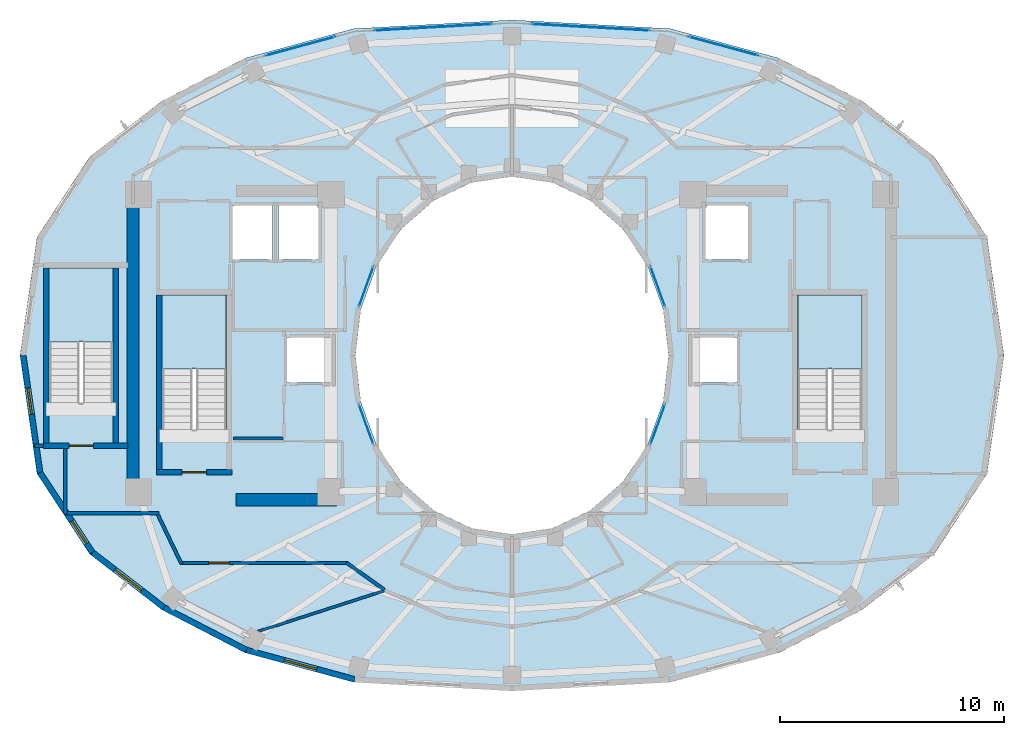
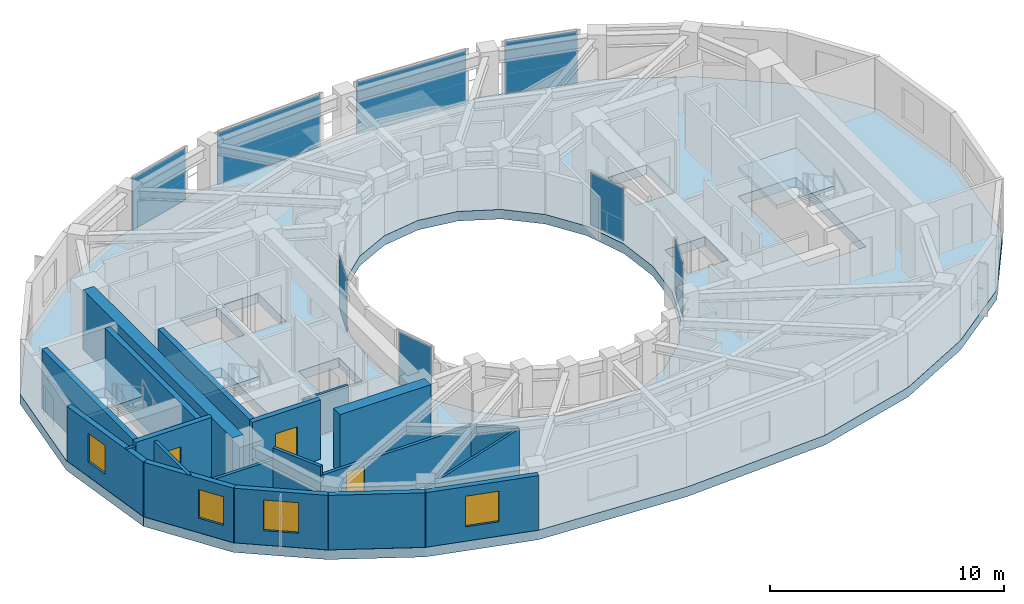
# One storey, part 12 of 19: 20 walls, 8 plates, 4 slabs, 4 windows, 3 doors, 7 openings, 11 elements without a shape of their own.
"""IFC4 building model written with IfcOpenShell, lengths in metres."""

from ifc_helpers import new_model, si_unit, direction, frame, frame_2d, origin, origin_2d, place, context, subcontext, project, spatial, polyline, rectangle, outline, extrude, material, layer, layer_set, type_object, element, fill, aggregate, save


model = new_model("IFC4")

# Units and contexts
model_context = context("Model", 3, precision=1e-05, world=origin(), true_north=direction((0.0, 1.0)))
body_context = subcontext(model_context, "Body", "Model", "MODEL_VIEW")
ifc_project = project(units=[si_unit("LENGTHUNIT", "METRE"), si_unit("AREAUNIT", "SQUARE_METRE"), si_unit("VOLUMEUNIT", "CUBIC_METRE"), si_unit("PLANEANGLEUNIT", "RADIAN"), si_unit("MASSUNIT", "GRAM", prefix="KILO")], contexts=[model_context])

# Site, building, storey
site_placement = place(None, origin())
site = spatial("IfcSite", under=ifc_project, at=site_placement, CompositionType="ELEMENT")
building_placement = place(site_placement, origin())
building = spatial("IfcBuilding", under=site, at=building_placement, Name="Solvane Sanctuary Tower", CompositionType="ELEMENT")
storey_placement = place(building_placement, frame((0.0, 0.0, 201.60009765625)))
storey = spatial("IfcBuildingStorey", under=building, at=storey_placement, Name="L61", CompositionType="ELEMENT", Elevation=201.60009765625)

# Curtain wall, plate
ifc_material_1 = material(Name="Anodised Aluminium 6063-T6", Category="aluminium")
ifc_layer_1 = layer(ifc_material_1, 0.18994140625, Name="Anodised Aluminium 6063-T6")
ifc_layer_set_1 = layer_set([ifc_layer_1], Name="Anodised Aluminium 6063-T6")
curtain_wall_type_1 = type_object("IfcCurtainWallType", Name="Curtain Wall CW-OPER", PredefinedType="NOTDEFINED", material=ifc_layer_set_1)
curtain_wall_1_placement = place(storey_placement, origin())
curtain_wall_1 = element("IfcCurtainWall", 1, at=curtain_wall_1_placement, inside=storey, type_object=curtain_wall_type_1, Name="L61 CW-OPER Facade Run 04", PredefinedType="NOTDEFINED")
ifc_material_2 = material(Name="Dark Ceramic-Fritted Low-E Glass", Category="glass")
ifc_layer_2 = layer(ifc_material_2, 0.0419921875, Name="Dark Ceramic-Fritted Low-E Glass")
ifc_layer_set_2 = layer_set([ifc_layer_2], Name="Dark Ceramic-Fritted Low-E Glass")
plate_type_1 = type_object("IfcPlateType", Name="Plate PN-OPER-VENT", PredefinedType="CURTAIN_PANEL", material=ifc_layer_set_2)
plate_1_placement = place(storey_placement, frame((41.45654296875, 36.830810546875, 0.06494140625), z_axis=(0.0, 0.0, 1.0), x_axis=(-0.965212137728, 0.261468027073, 0.0)))
plate_1 = element("IfcPlate", 2, at=plate_1_placement, type_object=plate_type_1, Name="CW-OPER panel 1.1", PredefinedType="CURTAIN_PANEL", context=body_context, shape_type="SweptSolid", body=[
    extrude(rectangle(XDim=3.2109375, YDim=0.0419921875, at=origin_2d()), origin(), (0.0, 0.0, 1.0), 2.7099609375),
])
aggregate(curtain_wall_1, [plate_1])

curtain_wall_2_placement = place(storey_placement, origin())
curtain_wall_2 = element("IfcCurtainWall", 3, at=curtain_wall_2_placement, inside=storey, type_object=curtain_wall_type_1, Name="L61 CW-OPER Facade Run 05", PredefinedType="NOTDEFINED")
plate_2_placement = place(storey_placement, frame((35.521484375, 37.678466796875, 0.06494140625), z_axis=(0.0, 0.0, 1.0), x_axis=(-0.99849089247, 0.054917553251, 0.0)))
plate_2 = element("IfcPlate", 4, at=plate_2_placement, type_object=plate_type_1, Name="CW-OPER panel 1.1", PredefinedType="CURTAIN_PANEL", context=body_context, shape_type="SweptSolid", body=[
    extrude(rectangle(XDim=5.263671875, YDim=0.0419921875, at=origin_2d()), origin(), (0.0, 0.0, 1.0), 2.7099609375),
])
aggregate(curtain_wall_2, [plate_2])

curtain_wall_3_placement = place(storey_placement, origin())
curtain_wall_3 = element("IfcCurtainWall", 5, at=curtain_wall_3_placement, inside=storey, type_object=curtain_wall_type_1, Name="L61 CW-OPER Facade Run 06", PredefinedType="NOTDEFINED")
plate_3_placement = place(storey_placement, frame((28.478515625, 37.678466796875, 0.06494140625), z_axis=(0.0, 0.0, 1.0), x_axis=(-0.99849089247, -0.054917553251, 0.0)))
plate_3 = element("IfcPlate", 6, at=plate_3_placement, type_object=plate_type_1, Name="CW-OPER panel 1.1", PredefinedType="CURTAIN_PANEL", context=body_context, shape_type="SweptSolid", body=[
    extrude(rectangle(XDim=5.263671875, YDim=0.0419921875, at=origin_2d()), origin(), (0.0, 0.0, 1.0), 2.7099609375),
])
aggregate(curtain_wall_3, [plate_3])

curtain_wall_4_placement = place(storey_placement, origin())
curtain_wall_4 = element("IfcCurtainWall", 7, at=curtain_wall_4_placement, inside=storey, type_object=curtain_wall_type_1, Name="L61 CW-OPER Facade Run 07", PredefinedType="NOTDEFINED")
plate_4_placement = place(storey_placement, frame((22.54345703125, 36.830810546875, 0.06494140625), z_axis=(0.0, 0.0, 1.0), x_axis=(-0.965212137728, -0.261468027073, 0.0)))
plate_4 = element("IfcPlate", 8, at=plate_4_placement, type_object=plate_type_1, Name="CW-OPER panel 1.1", PredefinedType="CURTAIN_PANEL", context=body_context, shape_type="SweptSolid", body=[
    extrude(rectangle(XDim=3.2109375, YDim=0.0419921875, at=origin_2d()), origin(), (0.0, 0.0, 1.0), 2.7099609375),
])
aggregate(curtain_wall_4, [plate_4])

ifc_layer_3 = layer(ifc_material_1, 0.199951171875, Name="Anodised Aluminium 6063-T6")
ifc_layer_set_3 = layer_set([ifc_layer_3], Name="Anodised Aluminium 6063-T6")
curtain_wall_type_2 = type_object("IfcCurtainWallType", Name="Curtain Wall CW-WELL", PredefinedType="NOTDEFINED", material=ifc_layer_set_3)
curtain_wall_5_placement = place(storey_placement, origin())
curtain_wall_5 = element("IfcCurtainWall", 9, at=curtain_wall_5_placement, inside=storey, type_object=curtain_wall_type_2, Name="L61 Light-Well Glazed Curtain Wall 01", PredefinedType="NOTDEFINED")
ifc_material_3 = material(Name="Clear Laminated Light-Well Glass", Category="glass")
ifc_layer_4 = layer(ifc_material_3, 0.02392578125, Name="Clear Laminated Light-Well Glass")
ifc_layer_set_4 = layer_set([ifc_layer_4], Name="Clear Laminated Light-Well Glass")
plate_type_2 = type_object("IfcPlateType", Name="Plate PN-WELL-GLZ", PredefinedType="CURTAIN_PANEL", material=ifc_layer_set_4)
plate_5_placement = place(storey_placement, frame((38.521728515625, 26.080810546875, 0.06494140625), z_axis=(0.0, 0.0, 1.0), x_axis=(-0.341358483781, 0.939933181429, 0.0)))
plate_5 = element("IfcPlate", 10, at=plate_5_placement, type_object=plate_type_2, Name="CW-WELL panel 1.1", PredefinedType="CURTAIN_PANEL", context=body_context, shape_type="SweptSolid", body=[
    extrude(rectangle(XDim=1.853515625, YDim=0.02392578125, at=origin_2d()), origin(), (0.0, 0.0, 1.0), 2.75),
])
aggregate(curtain_wall_5, [plate_5])

curtain_wall_6_placement = place(storey_placement, origin())
curtain_wall_6 = element("IfcCurtainWall", 11, at=curtain_wall_6_placement, inside=storey, type_object=curtain_wall_type_2, Name="L61 Light-Well Glazed Curtain Wall 10", PredefinedType="NOTDEFINED")
plate_6_placement = place(storey_placement, frame((25.478271484375, 26.080810546875, 0.06494140625), z_axis=(0.0, 0.0, 1.0), x_axis=(-0.341358483781, -0.939933181429, 0.0)))
plate_6 = element("IfcPlate", 12, at=plate_6_placement, type_object=plate_type_2, Name="CW-WELL panel 1.1", PredefinedType="CURTAIN_PANEL", context=body_context, shape_type="SweptSolid", body=[
    extrude(rectangle(XDim=1.853515625, YDim=0.02392578125, at=origin_2d()), origin(), (0.0, 0.0, 1.0), 2.75),
])
aggregate(curtain_wall_6, [plate_6])

curtain_wall_7_placement = place(storey_placement, origin())
curtain_wall_7 = element("IfcCurtainWall", 13, at=curtain_wall_7_placement, inside=storey, type_object=curtain_wall_type_2, Name="L61 Light-Well Glazed Curtain Wall 13", PredefinedType="NOTDEFINED")
plate_7_placement = place(storey_placement, frame((25.478271484375, 19.919189453125, 0.06494140625), z_axis=(0.0, 0.0, 1.0), x_axis=(0.341358483781, -0.939933181429, 0.0)))
plate_7 = element("IfcPlate", 14, at=plate_7_placement, type_object=plate_type_2, Name="CW-WELL panel 1.1", PredefinedType="CURTAIN_PANEL", context=body_context, shape_type="SweptSolid", body=[
    extrude(rectangle(XDim=1.853515625, YDim=0.02392578125, at=origin_2d()), origin(), (0.0, 0.0, 1.0), 2.75),
])
aggregate(curtain_wall_7, [plate_7])

curtain_wall_8_placement = place(storey_placement, origin())
curtain_wall_8 = element("IfcCurtainWall", 15, at=curtain_wall_8_placement, inside=storey, type_object=curtain_wall_type_2, Name="L61 Light-Well Glazed Curtain Wall 22", PredefinedType="NOTDEFINED")
plate_8_placement = place(storey_placement, frame((38.521728515625, 19.919189453125, 0.06494140625), z_axis=(0.0, 0.0, 1.0), x_axis=(0.341358483781, 0.939933181429, 0.0)))
plate_8 = element("IfcPlate", 16, at=plate_8_placement, type_object=plate_type_2, Name="CW-WELL panel 1.1", PredefinedType="CURTAIN_PANEL", context=body_context, shape_type="SweptSolid", body=[
    extrude(rectangle(XDim=1.853515625, YDim=0.02392578125, at=origin_2d()), origin(), (0.0, 0.0, 1.0), 2.75),
])
aggregate(curtain_wall_8, [plate_8])

# Stair, slab
ifc_material_4 = material(Name="Concrete C45/55", Category="concrete")
stair_type = type_object("IfcStairType", Name="Stair ST-TOW", PredefinedType="HALF_TURN_STAIR", material=ifc_material_4)
stair_1_placement = place(storey_placement, origin())
stair_1 = element("IfcStair", 17, at=stair_1_placement, inside=storey, type_object=stair_type, Name="L61 Exit Stair ST-1 West Core", PredefinedType="HALF_TURN_STAIR")
ifc_layer_5 = layer(ifc_material_4, 0.199951171875, Name="Concrete C45/55")
ifc_layer_set_5 = layer_set([ifc_layer_5], Name="Concrete C45/55")
slab_type_1 = type_object("IfcSlabType", Name="Slab SL-LAND-180", PredefinedType="LANDING", material=ifc_layer_set_5)
slab_1_placement = place(storey_placement, frame((0.0, 0.0, 1.349853515625)))
slab_1 = element("IfcSlab", 18, at=slab_1_placement, type_object=slab_type_1, Name="ST-1 landing 1", PredefinedType="LANDING", context=body_context, shape_type="SweptSolid", body=[
    extrude(outline(polyline([(19.219970703125, 22.39990234375), (19.219970703125, 25.699951171875), (16.360107421875, 25.699951171875), (16.360107421875, 22.39990234375), (19.219970703125, 22.39990234375)])), origin(), (0.0, 0.0, 1.0), 0.199951171875),
])
aggregate(stair_1, [slab_1])

stair_2_placement = place(storey_placement, origin())
stair_2 = element("IfcStair", 19, at=stair_2_placement, inside=storey, type_object=stair_type, Name="L61 Exit Stair ST-2 East Core", PredefinedType="HALF_TURN_STAIR")
slab_2_placement = place(storey_placement, frame((0.0, 0.0, 1.349853515625)))
slab_2 = element("IfcSlab", 20, at=slab_2_placement, type_object=slab_type_1, Name="ST-2 landing 1", PredefinedType="LANDING", context=body_context, shape_type="SweptSolid", body=[
    extrude(outline(polyline([(47.639892578125, 22.39990234375), (47.639892578125, 25.699951171875), (44.780029296875, 25.699951171875), (44.780029296875, 22.39990234375), (47.639892578125, 22.39990234375)])), origin(), (0.0, 0.0, 1.0), 0.199951171875),
])
aggregate(stair_2, [slab_2])

stair_3_placement = place(storey_placement, origin())
stair_3 = element("IfcStair", 21, at=stair_3_placement, inside=storey, type_object=stair_type, Name="L61 Exit Stair ST-3 Pilgrim Tower Stair", PredefinedType="HALF_TURN_STAIR")
slab_3_placement = place(storey_placement, frame((0.0, 0.0, 1.349853515625)))
slab_3 = element("IfcSlab", 22, at=slab_3_placement, type_object=slab_type_1, Name="ST-3 landing 1", PredefinedType="LANDING", context=body_context, shape_type="SweptSolid", body=[
    extrude(outline(polyline([(14.159912109375, 23.60009765625), (14.159912109375, 26.89990234375), (11.300048828125, 26.89990234375), (11.300048828125, 23.60009765625), (14.159912109375, 23.60009765625)])), origin(), (0.0, 0.0, 1.0), 0.199951171875),
])
aggregate(stair_3, [slab_3])

# Slab
ifc_material_5 = material(Name="Concrete C60/75", Category="concrete")
ifc_layer_6 = layer(ifc_material_5, 0.5, Name="Concrete C60/75")
ifc_layer_set_6 = layer_set([ifc_layer_6], Name="Concrete C60/75")
slab_type_2 = type_object("IfcSlabType", Name="Slab SL-XFER-500", PredefinedType="FLOOR", material=ifc_layer_set_6)
slab_4_placement = place(storey_placement, frame((0.0, 0.0, -0.5)))
element("IfcSlab", 23, at=slab_4_placement, inside=storey, type_object=slab_type_2, Name="L61 Primary Structural Slab", PredefinedType="FLOOR", context=body_context, shape_type="SweptSolid", body=[
    extrude(outline(polyline([(54.0, 23.0), (53.239990234375, 28.283935546875), (50.881103515625, 31.885009765625), (47.6572265625, 34.369384765625), (43.946044921875, 36.29052734375), (39.088134765625, 37.609375), (32.0, 38.0), (24.911865234375, 37.609375), (20.053955078125, 36.29052734375), (16.3427734375, 34.369384765625), (13.118896484375, 31.885009765625), (10.760009765625, 28.283935546875), (10.0, 23.0), (10.760009765625, 17.716064453125), (13.118896484375, 14.114990234375), (16.3427734375, 11.630615234375), (20.053955078125, 9.70947265625), (24.911865234375, 8.390625), (32.0, 8.0), (39.088134765625, 8.390625), (43.946044921875, 9.70947265625), (47.6572265625, 11.630615234375), (50.881103515625, 14.114990234375), (53.239990234375, 17.716064453125), (54.0, 23.0)]), holes=[polyline([(38.761474609375, 20.929443359375), (38.062255859375, 19.0), (36.94970703125, 17.343017578125), (35.5, 16.07177734375), (33.811767578125, 15.272705078125), (32.0, 15.0), (30.188232421875, 15.272705078125), (28.5, 16.07177734375), (27.05029296875, 17.343017578125), (25.937744140625, 19.0), (25.238525390625, 20.929443359375), (25.0, 23.0), (25.238525390625, 25.070556640625), (25.937744140625, 27.0), (27.05029296875, 28.656982421875), (28.5, 29.92822265625), (30.188232421875, 30.727294921875), (32.0, 31.0), (33.811767578125, 30.727294921875), (35.5, 29.92822265625), (36.94970703125, 28.656982421875), (38.062255859375, 27.0), (38.761474609375, 25.070556640625), (39.0, 23.0), (38.761474609375, 20.929443359375)]), polyline([(16.360107421875, 19.699951171875), (16.360107421875, 25.699951171875), (19.219970703125, 25.699951171875), (19.219970703125, 19.699951171875), (16.360107421875, 19.699951171875)]), polyline([(44.780029296875, 19.699951171875), (44.780029296875, 25.699951171875), (47.639892578125, 25.699951171875), (47.639892578125, 19.699951171875), (44.780029296875, 19.699951171875)]), polyline([(11.300048828125, 20.89990234375), (11.300048828125, 26.89990234375), (14.159912109375, 26.89990234375), (14.159912109375, 20.89990234375), (11.300048828125, 20.89990234375)]), polyline([(21.949951171875, 23.800048828125), (23.949951171875, 23.800048828125), (23.949951171875, 21.800048828125), (21.949951171875, 21.800048828125), (21.949951171875, 23.800048828125)]), polyline([(40.050048828125, 23.800048828125), (42.050048828125, 23.800048828125), (42.050048828125, 21.800048828125), (40.050048828125, 21.800048828125), (40.050048828125, 23.800048828125)]), polyline([(19.5, 29.699951171875), (21.300048828125, 29.699951171875), (21.300048828125, 27.300048828125), (19.5, 27.300048828125), (19.5, 29.699951171875)]), polyline([(21.550048828125, 29.699951171875), (23.35009765625, 29.699951171875), (23.35009765625, 27.300048828125), (21.550048828125, 27.300048828125), (21.550048828125, 29.699951171875)]), polyline([(40.64990234375, 29.699951171875), (42.550048828125, 29.699951171875), (42.550048828125, 27.300048828125), (40.64990234375, 27.300048828125), (40.64990234375, 29.699951171875)])]), origin(), (0.0, 0.0, 1.0), 0.5),
])

# Walls
ifc_material_6 = material(Name="Concrete C50/60", Category="concrete")
ifc_layer_7 = layer(ifc_material_6, 0.550048828125, Name="Concrete C50/60")
ifc_layer_set_7 = layer_set([ifc_layer_7], Name="Concrete C50/60")
wall_type_1 = type_object("IfcWallType", Name="Wall W-CORE-550", PredefinedType="SHEAR", material=ifc_layer_set_7)
wall_1_placement = place(storey_placement, frame((15.050048828125, 17.050048828125, 0.0), z_axis=(0.0, 0.0, 1.0), x_axis=(0.0, 1.0, 0.0)))
element("IfcWall", 24, at=wall_1_placement, inside=storey, type_object=wall_type_1, Name="L61 Core Shear Wall WC-W", PredefinedType="SHEAR", context=body_context, shape_type="SweptSolid", body=[
    extrude(rectangle(XDim=12.800048828125, YDim=0.550048828125, at=frame_2d((6.39990234375, 0.0))), origin(), (0.0, 0.0, 1.0), 3.099853515625),
])
wall_2_placement = place(storey_placement, frame((19.64990234375, 16.550048828125, 0.0), z_axis=(0.0, 0.0, 1.0), x_axis=(1.0, 0.0, 0.0)))
element("IfcWall", 25, at=wall_2_placement, inside=storey, type_object=wall_type_1, Name="L61 Core Shear Wall WC-S", PredefinedType="SHEAR", context=body_context, shape_type="SweptSolid", body=[
    extrude(rectangle(XDim=4.5, YDim=0.550048828125, at=frame_2d((2.25, 0.0))), origin(), (0.0, 0.0, 1.0), 3.099853515625),
])
ifc_material_7 = material(Name="Acoustic Gypsum Partition Board")
ifc_layer_8 = layer(ifc_material_7, 0.14990234375, Name="Acoustic Gypsum Partition Board")
ifc_layer_set_8 = layer_set([ifc_layer_8], Name="Acoustic Gypsum Partition Board")
wall_type_2 = type_object("IfcWallType", Name="Wall W-CORR-150", PredefinedType="PARTITIONING", material=ifc_layer_set_8)
wall_3_placement = place(storey_placement, frame((10.639892578125, 18.969970703125, 0.0), z_axis=(0.0, 0.0, 1.0), x_axis=(1.0, 0.0, 0.0)))
element("IfcWall", 26, at=wall_3_placement, inside=storey, type_object=wall_type_2, Name="L61 SW Corner Closer 1", PredefinedType="PARTITIONING", context=body_context, shape_type="SweptSolid", body=[
    extrude(rectangle(XDim=0.400146484375, YDim=0.14990234375, at=frame_2d((0.2001953125, 0.0))), origin(), (0.0, 0.0, 1.0), 2.85498046875),
])
wall_4_placement = place(storey_placement, frame((12.02001953125, 15.909912109375, 0.0), z_axis=(0.0, 0.0, 1.0), x_axis=(0.0, 1.0, 0.0)))
element("IfcWall", 27, at=wall_4_placement, inside=storey, type_object=wall_type_2, Name="L61 SW Corner Closer 2", PredefinedType="PARTITIONING", context=body_context, shape_type="SweptSolid", body=[
    extrude(rectangle(XDim=2.93017578125, YDim=0.14990234375, at=frame_2d((1.465087890625, 0.0))), origin(), (0.0, 0.0, 1.0), 2.85498046875),
])
wall_5_placement = place(storey_placement, frame((11.97998046875, 15.949951171875, 0.0), z_axis=(0.0, 0.0, 1.0), x_axis=(1.0, 0.0, 0.0)))
element("IfcWall", 28, at=wall_5_placement, inside=storey, type_object=wall_type_2, Name="L61 SW Corner Closer 3", PredefinedType="PARTITIONING", context=body_context, shape_type="SweptSolid", body=[
    extrude(rectangle(XDim=4.239990234375, YDim=0.14990234375, at=frame_2d((2.1201171875, 0.0))), origin(), (0.0, 0.0, 1.0), 2.219970703125),
])
wall_6_placement = place(storey_placement, frame((26.290283203125, 12.527099609375, 0.0), z_axis=(0.0, 0.0, 1.0), x_axis=(-0.813780999276, 0.581171648669, 0.0)))
element("IfcWall", 29, at=wall_6_placement, inside=storey, type_object=wall_type_2, Name="L61 SW Corner Throat Wall", PredefinedType="PARTITIONING", context=body_context, shape_type="SweptSolid", body=[
    extrude(rectangle(XDim=2.082275390625, YDim=0.14990234375, at=frame_2d((1.041015625, 0.0))), origin(), (0.0, 0.0, 1.0), 2.3759765625),
])

# Wall, opening, door
wall_7_placement = place(storey_placement, frame((17.14990234375, 13.719970703125, 0.0), z_axis=(0.0, 0.0, 1.0), x_axis=(1.0, 0.0, 0.0)))
wall_7 = element("IfcWall", 30, at=wall_7_placement, inside=storey, type_object=wall_type_2, Name="L61 SW Corner Corridor Wall", PredefinedType="PARTITIONING", context=body_context, shape_type="SweptSolid", body=[
    extrude(rectangle(XDim=7.52001953125, YDim=0.14990234375, at=frame_2d((3.760009765625, 0.0))), origin(), (0.0, 0.0, 1.0), 2.3759765625),
])
opening_1_placement = place(wall_7_placement, frame((1.300048828125, 0.0, 0.0)))
opening_1 = element("IfcOpeningElement", 31, at=opening_1_placement, cuts=wall_7, Name="Opening D-L61-19", PredefinedType="OPENING", context=body_context, shape_type="SweptSolid", body=[
    extrude(rectangle(XDim=0.89990234375, YDim=2.10009765625, at=frame_2d((0.449951171875, 1.050048828125))), frame((0.0, 0.0849609375, 0.0), z_axis=(0.0, -1.0, 0.0), x_axis=(1.0, 0.0, 0.0)), (0.0, 0.0, 1.0), 0.169921875),
])
ifc_material_8 = material(Name="Engineered Tropical Hardwood", Category="wood")
door_type_1 = type_object("IfcDoorType", Name="Door D-WET-900", OperationType="NOTDEFINED", PredefinedType="DOOR", material=ifc_material_8)
door_1_placement = place(opening_1_placement, origin())
door_1 = element("IfcDoor", 32, at=door_1_placement, inside=storey, type_object=door_type_1, Name="L61 SW Corner Salon Door", OperationType="SINGLE_SWING_LEFT", OverallHeight=2.10009765625, OverallWidth=0.89990234375, PredefinedType="DOOR", context=body_context, shape_type="SweptSolid", body=[
    extrude(rectangle(XDim=0.89990234375, YDim=2.10009765625, at=frame_2d((0.449951171875, 1.050048828125))), frame((0.0, 0.02490234375, 0.0), z_axis=(0.0, -1.0, 0.0), x_axis=(1.0, 0.0, 0.0)), (0.0, 0.0, 1.0), 0.050048828125),
])
fill(opening_1, door_1)

# Wall
wall_8_placement = place(storey_placement, frame((17.2216796875, 13.6748046875, 0.0), z_axis=(0.0, 0.0, 1.0), x_axis=(-0.431973389813, 0.901886351207, 0.0)))
element("IfcWall", 33, at=wall_8_placement, inside=storey, type_object=wall_type_2, Name="L61 SW Corner Wing Wall", PredefinedType="PARTITIONING", context=body_context, shape_type="SweptSolid", body=[
    extrude(rectangle(XDim=2.45166015625, YDim=0.14990234375, at=frame_2d((1.225830078125, 0.0))), origin(), (0.0, 0.0, 1.0), 2.85498046875),
])

# Wall, opening, window
ifc_material_9 = material(Name="Precast concrete C40/50", Category="concrete")
ifc_layer_9 = layer(ifc_material_9, 0.260009765625, Name="Precast concrete C40/50")
ifc_layer_set_9 = layer_set([ifc_layer_9], Name="Precast concrete C40/50")
wall_type_3 = type_object("IfcWallType", Name="Wall W-EXT-250", PredefinedType="STANDARD", material=ifc_layer_set_9)
wall_9_placement = place(storey_placement, frame((10.139892578125, 23.0, 0.0), z_axis=(0.0, 0.0, 1.0), x_axis=(0.142712754019, -0.989764148593, 0.0)))
wall_9 = element("IfcWall", 34, at=wall_9_placement, inside=storey, type_object=wall_type_3, Name="L61 Ceramic-Printed Facade Wall 12", PredefinedType="STANDARD", context=body_context, shape_type="SweptSolid", body=[
    extrude(rectangle(XDim=5.29296875, YDim=0.260009765625, at=frame_2d((2.646484375, 0.0))), origin(), (0.0, 0.0, 1.0), 2.849853515625),
])
opening_2_placement = place(wall_9_placement, frame((1.4580078125, 0.0, 0.75)))
opening_2 = element("IfcOpeningElement", 35, at=opening_2_placement, cuts=wall_9, Name="Opening WN-OPER-1200", PredefinedType="OPENING", context=body_context, shape_type="SweptSolid", body=[
    extrude(rectangle(XDim=1.199951171875, YDim=1.5, at=frame_2d((0.60009765625, 0.75))), frame((0.0, 0.139892578125, 0.0), z_axis=(0.0, -1.0, 0.0), x_axis=(1.0, 0.0, 0.0)), (0.0, 0.0, 1.0), 0.280029296875),
])
window_type_1 = type_object("IfcWindowType", Name="Window WN-OPER-1200", PartitioningType="SINGLE_PANEL", PredefinedType="WINDOW", material=ifc_material_2)
window_1_placement = place(opening_2_placement, origin())
window_1 = element("IfcWindow", 36, at=window_1_placement, inside=storey, type_object=window_type_1, Name="L61 Operable Facade Window 12", OverallHeight=1.5, OverallWidth=1.199951171875, PartitioningType="SINGLE_PANEL", PredefinedType="WINDOW", context=body_context, shape_type="SweptSolid", body=[
    extrude(rectangle(XDim=1.199951171875, YDim=1.5, at=frame_2d((0.60009765625, 0.75))), frame((0.0, 0.030029296875, 0.0), z_axis=(0.0, -1.0, 0.0), x_axis=(1.0, 0.0, 0.0)), (0.0, 0.0, 1.0), 0.06005859375),
])
fill(opening_2, window_1)

wall_10_placement = place(storey_placement, frame((10.895263671875, 17.76123046875, 0.0), z_axis=(0.0, 0.0, 1.0), x_axis=(0.548776305075, -0.835969238064, 0.0)))
wall_10 = element("IfcWall", 37, at=wall_10_placement, inside=storey, type_object=wall_type_3, Name="L61 Ceramic-Printed Facade Wall 13", PredefinedType="STANDARD", context=body_context, shape_type="SweptSolid", body=[
    extrude(rectangle(XDim=4.270751953125, YDim=0.260009765625, at=frame_2d((2.13525390625, 0.0))), origin(), (0.0, 0.0, 1.0), 2.849853515625),
])
opening_3_placement = place(wall_10_placement, frame((2.59375, 0.0, 0.75)))
opening_3 = element("IfcOpeningElement", 38, at=opening_3_placement, cuts=wall_10, Name="Opening WN-OPER-1200", PredefinedType="OPENING", context=body_context, shape_type="SweptSolid", body=[
    extrude(rectangle(XDim=1.199951171875, YDim=1.5, at=frame_2d((0.60009765625, 0.75))), frame((0.0, 0.139892578125, 0.0), z_axis=(0.0, -1.0, 0.0), x_axis=(1.0, 0.0, 0.0)), (0.0, 0.0, 1.0), 0.280029296875),
])
window_2_placement = place(opening_3_placement, origin())
window_2 = element("IfcWindow", 39, at=window_2_placement, inside=storey, type_object=window_type_1, Name="L61 Operable Facade Window 13", OverallHeight=1.5, OverallWidth=1.199951171875, PartitioningType="SINGLE_PANEL", PredefinedType="WINDOW", context=body_context, shape_type="SweptSolid", body=[
    extrude(rectangle(XDim=1.199951171875, YDim=1.5, at=frame_2d((0.60009765625, 0.75))), frame((0.0, 0.030029296875, 0.0), z_axis=(0.0, -1.0, 0.0), x_axis=(1.0, 0.0, 0.0)), (0.0, 0.0, 1.0), 0.06005859375),
])
fill(opening_3, window_2)

wall_11_placement = place(storey_placement, frame((13.239013671875, 14.19091796875, 0.0), z_axis=(0.0, 0.0, 1.0), x_axis=(0.792713817907, -0.609593965603, 0.0)))
wall_11 = element("IfcWall", 40, at=wall_11_placement, inside=storey, type_object=wall_type_3, Name="L61 Ceramic-Printed Facade Wall 14", PredefinedType="STANDARD", context=body_context, shape_type="SweptSolid", body=[
    extrude(rectangle(XDim=4.041015625, YDim=0.260009765625, at=frame_2d((2.0205078125, 0.0))), origin(), (0.0, 0.0, 1.0), 2.849853515625),
])
opening_4_placement = place(wall_11_placement, frame((1.2705078125, 0.0, 0.75)))
opening_4 = element("IfcOpeningElement", 41, at=opening_4_placement, cuts=wall_11, Name="Opening WN-OPER-1500", PredefinedType="OPENING", context=body_context, shape_type="SweptSolid", body=[
    extrude(rectangle(XDim=1.5, YDim=1.60009765625, at=frame_2d((0.75, 0.800048828125))), frame((0.0, 0.139892578125, 0.0), z_axis=(0.0, -1.0, 0.0), x_axis=(1.0, 0.0, 0.0)), (0.0, 0.0, 1.0), 0.280029296875),
])
window_type_2 = type_object("IfcWindowType", Name="Window WN-OPER-1500", PartitioningType="SINGLE_PANEL", PredefinedType="WINDOW", material=ifc_material_2)
window_3_placement = place(opening_4_placement, origin())
window_3 = element("IfcWindow", 42, at=window_3_placement, inside=storey, type_object=window_type_2, Name="L61 Operable Facade Window 14", OverallHeight=1.60009765625, OverallWidth=1.5, PartitioningType="SINGLE_PANEL", PredefinedType="WINDOW", context=body_context, shape_type="SweptSolid", body=[
    extrude(rectangle(XDim=1.5, YDim=1.60009765625, at=frame_2d((0.75, 0.800048828125))), frame((0.0, 0.030029296875, 0.0), z_axis=(0.0, -1.0, 0.0), x_axis=(1.0, 0.0, 0.0)), (0.0, 0.0, 1.0), 0.06005859375),
])
fill(opening_4, window_3)

# Wall
wall_12_placement = place(storey_placement, frame((16.4423828125, 11.7275390625, 0.0), z_axis=(0.0, 0.0, 1.0), x_axis=(0.88849146803, -0.458893137057, 0.0)))
element("IfcWall", 43, at=wall_12_placement, inside=storey, type_object=wall_type_3, Name="L61 Ceramic-Printed Facade Wall 15", PredefinedType="STANDARD", context=body_context, shape_type="SweptSolid", body=[
    extrude(rectangle(XDim=4.150390625, YDim=0.260009765625, at=frame_2d((2.0751953125, 0.0))), origin(), (0.0, 0.0, 1.0), 2.849853515625),
])

# Wall, opening, window
wall_13_placement = place(storey_placement, frame((20.1298828125, 9.822998046875, 0.0), z_axis=(0.0, 0.0, 1.0), x_axis=(0.965213026382, -0.261464746576, 0.0)))
wall_13 = element("IfcWall", 44, at=wall_13_placement, inside=storey, type_object=wall_type_3, Name="L61 Ceramic-Printed Facade Wall 16", PredefinedType="STANDARD", context=body_context, shape_type="SweptSolid", body=[
    extrude(rectangle(XDim=5.001220703125, YDim=0.260009765625, at=frame_2d((2.50048828125, 0.0))), origin(), (0.0, 0.0, 1.0), 2.849853515625),
])
opening_5_placement = place(wall_13_placement, frame((1.75048828125, 0.0, 0.75)))
opening_5 = element("IfcOpeningElement", 45, at=opening_5_placement, cuts=wall_13, Name="Opening WN-OPER-1500", PredefinedType="OPENING", context=body_context, shape_type="SweptSolid", body=[
    extrude(rectangle(XDim=1.5, YDim=1.60009765625, at=frame_2d((0.75, 0.800048828125))), frame((0.0, 0.139892578125, 0.0), z_axis=(0.0, -1.0, 0.0), x_axis=(1.0, 0.0, 0.0)), (0.0, 0.0, 1.0), 0.280029296875),
])
window_4_placement = place(opening_5_placement, origin())
window_4 = element("IfcWindow", 46, at=window_4_placement, inside=storey, type_object=window_type_2, Name="L61 Operable Facade Window 16", OverallHeight=1.60009765625, OverallWidth=1.5, PartitioningType="SINGLE_PANEL", PredefinedType="WINDOW", context=body_context, shape_type="SweptSolid", body=[
    extrude(rectangle(XDim=1.5, YDim=1.60009765625, at=frame_2d((0.75, 0.800048828125))), frame((0.0, 0.030029296875, 0.0), z_axis=(0.0, -1.0, 0.0), x_axis=(1.0, 0.0, 0.0)), (0.0, 0.0, 1.0), 0.06005859375),
])
fill(opening_5, window_4)

# Walls
ifc_layer_10 = layer(ifc_material_7, 0.1201171875, Name="Acoustic Gypsum Partition Board")
ifc_layer_set_10 = layer_set([ifc_layer_10], Name="Acoustic Gypsum Partition Board")
wall_type_4 = type_object("IfcWallType", Name="Wall W-MOV-100", PredefinedType="MOVABLE", material=ifc_layer_set_10)
wall_14_placement = place(storey_placement, frame((26.28271484375, 12.478271484375, 0.0), z_axis=(0.0, 0.0, 1.0), x_axis=(-0.951711719757, -0.306993163568, 0.0)))
element("IfcWall", 47, at=wall_14_placement, inside=storey, type_object=wall_type_4, Name="L61 Sky Hall Radial Partition 240", PredefinedType="MOVABLE", context=body_context, shape_type="SweptSolid", body=[
    extrude(rectangle(XDim=5.934326171875, YDim=0.1201171875, at=frame_2d((2.96728515625, 0.0))), origin(), (0.0, 0.0, 1.0), 2.3759765625),
])
ifc_layer_11 = layer(ifc_material_7, 0.125, Name="Acoustic Gypsum Partition Board")
ifc_layer_set_11 = layer_set([ifc_layer_11], Name="Acoustic Gypsum Partition Board")
wall_type_5 = type_object("IfcWallType", Name="Wall W-PART-125", PredefinedType="PARTITIONING", material=ifc_layer_set_11)
wall_15_placement = place(storey_placement, frame((19.550048828125, 19.280029296875, 0.0), z_axis=(0.0, 0.0, 1.0), x_axis=(1.0, 0.0, 0.0)))
element("IfcWall", 48, at=wall_15_placement, inside=storey, type_object=wall_type_5, Name="L61 Reclaimed Room Closer Wall PMW-1", PredefinedType="PARTITIONING", context=body_context, shape_type="SweptSolid", body=[
    extrude(rectangle(XDim=2.2099609375, YDim=0.125, at=frame_2d((1.10498046875, 0.0))), origin(), (0.0, 0.0, 1.0), 2.119873046875),
])

# Wall, opening, door
ifc_layer_12 = layer(ifc_material_6, 0.25, Name="Concrete C50/60")
ifc_layer_set_12 = layer_set([ifc_layer_12], Name="Concrete C50/60")
wall_type_6 = type_object("IfcWallType", Name="Wall W-SHAFT-250", PredefinedType="SOLIDWALL", material=ifc_layer_set_12)
wall_16_placement = place(storey_placement, frame((16.10498046875, 17.77001953125, 0.0), z_axis=(0.0, 0.0, 1.0), x_axis=(1.0, 0.0, 0.0)))
wall_16 = element("IfcWall", 49, at=wall_16_placement, inside=storey, type_object=wall_type_6, Name="L61 ST-1 Load-Bearing Shaft Wall S", PredefinedType="SOLIDWALL", context=body_context, shape_type="SweptSolid", body=[
    extrude(rectangle(XDim=3.3701171875, YDim=0.25, at=frame_2d((1.68505859375, 0.0))), origin(), (0.0, 0.0, 1.0), 3.099853515625),
])
opening_6_placement = place(wall_16_placement, frame((1.135009765625, 0.0, 0.0)))
opening_6 = element("IfcOpeningElement", 50, at=opening_6_placement, cuts=wall_16, Name="Opening D-L61-01", PredefinedType="OPENING", context=body_context, shape_type="SweptSolid", body=[
    extrude(rectangle(XDim=1.10009765625, YDim=2.10009765625, at=frame_2d((0.550048828125, 1.050048828125))), frame((0.0, 0.135009765625, 0.0), z_axis=(0.0, -1.0, 0.0), x_axis=(1.0, 0.0, 0.0)), (0.0, 0.0, 1.0), 0.27001953125),
])
ifc_material_10 = material(Name="Architectural Stainless Steel 316", Category="steel")
door_type_2 = type_object("IfcDoorType", Name="Door D-STAIR", OperationType="NOTDEFINED", PredefinedType="DOOR", material=ifc_material_10)
door_2_placement = place(opening_6_placement, origin())
door_2 = element("IfcDoor", 51, at=door_2_placement, inside=storey, type_object=door_type_2, Name="L61 ST-1 Exit Stair Fire Door", OperationType="SINGLE_SWING_LEFT", OverallHeight=2.10009765625, OverallWidth=1.10009765625, PredefinedType="DOOR", context=body_context, shape_type="SweptSolid", body=[
    extrude(rectangle(XDim=1.10009765625, YDim=2.10009765625, at=frame_2d((0.550048828125, 1.050048828125))), frame((0.0, 0.02490234375, 0.0), z_axis=(0.0, -1.0, 0.0), x_axis=(1.0, 0.0, 0.0)), (0.0, 0.0, 1.0), 0.050048828125),
])
fill(opening_6, door_2)

# Wall
wall_17_placement = place(storey_placement, frame((16.22998046875, 17.89501953125, 0.0), z_axis=(0.0, 0.0, 1.0), x_axis=(0.0, 1.0, 0.0)))
element("IfcWall", 52, at=wall_17_placement, inside=storey, type_object=wall_type_6, Name="L61 ST-1 Load-Bearing Shaft Wall W", PredefinedType="SOLIDWALL", context=body_context, shape_type="SweptSolid", body=[
    extrude(rectangle(XDim=7.81005859375, YDim=0.25, at=frame_2d((3.905029296875, 0.0))), origin(), (0.0, 0.0, 1.0), 3.099853515625),
])

# Wall, opening, door
wall_18_placement = place(storey_placement, frame((11.044921875, 18.969970703125, 0.0), z_axis=(0.0, 0.0, 1.0), x_axis=(1.0, 0.0, 0.0)))
wall_18 = element("IfcWall", 53, at=wall_18_placement, inside=storey, type_object=wall_type_6, Name="L61 ST-3 Load-Bearing Shaft Wall S", PredefinedType="SOLIDWALL", context=body_context, shape_type="SweptSolid", body=[
    extrude(rectangle(XDim=3.781982421875, YDim=0.25, at=frame_2d((1.89111328125, 0.0))), origin(), (0.0, 0.0, 1.0), 3.099853515625),
])
opening_7_placement = place(wall_18_placement, frame((1.135009765625, 0.0, 0.0)))
opening_7 = element("IfcOpeningElement", 54, at=opening_7_placement, cuts=wall_18, Name="Opening D-L61-03", PredefinedType="OPENING", context=body_context, shape_type="SweptSolid", body=[
    extrude(rectangle(XDim=1.10009765625, YDim=2.10009765625, at=frame_2d((0.550048828125, 1.050048828125))), frame((0.0, 0.135009765625, 0.0), z_axis=(0.0, -1.0, 0.0), x_axis=(1.0, 0.0, 0.0)), (0.0, 0.0, 1.0), 0.27001953125),
])
door_3_placement = place(opening_7_placement, origin())
door_3 = element("IfcDoor", 55, at=door_3_placement, inside=storey, type_object=door_type_2, Name="L61 ST-3 Exit Stair Fire Door", OperationType="SINGLE_SWING_LEFT", OverallHeight=2.10009765625, OverallWidth=1.10009765625, PredefinedType="DOOR", context=body_context, shape_type="SweptSolid", body=[
    extrude(rectangle(XDim=1.10009765625, YDim=2.10009765625, at=frame_2d((0.550048828125, 1.050048828125))), frame((0.0, 0.02490234375, 0.0), z_axis=(0.0, -1.0, 0.0), x_axis=(1.0, 0.0, 0.0)), (0.0, 0.0, 1.0), 0.050048828125),
])
fill(opening_7, door_3)

# Walls
for number, where, z_axis, x_axis, name in (
    (56, (11.169921875, 19.094970703125, 0.0), (0.0, 0.0, 1.0), (0.0, 1.0, 0.0), "L61 ST-3 Load-Bearing Shaft Wall W"),
    (57, (14.2900390625, 19.094970703125, 0.0), (0.0, 0.0, 1.0), (0.0, 1.0, 0.0), "L61 ST-3 Load-Bearing Shaft Wall E"),
):
    element("IfcWall", number, at=place(storey_placement, frame(where, z_axis=z_axis, x_axis=x_axis)), inside=storey, type_object=wall_type_6, Name=name, PredefinedType="SOLIDWALL", context=body_context, shape_type="SweptSolid", body=[
        extrude(rectangle(XDim=7.81005859375, YDim=0.25, at=frame_2d((3.905029296875, 0.0))), origin(), (0.0, 0.0, 1.0), 3.099853515625),
    ])

save(model, "model.ifc")
